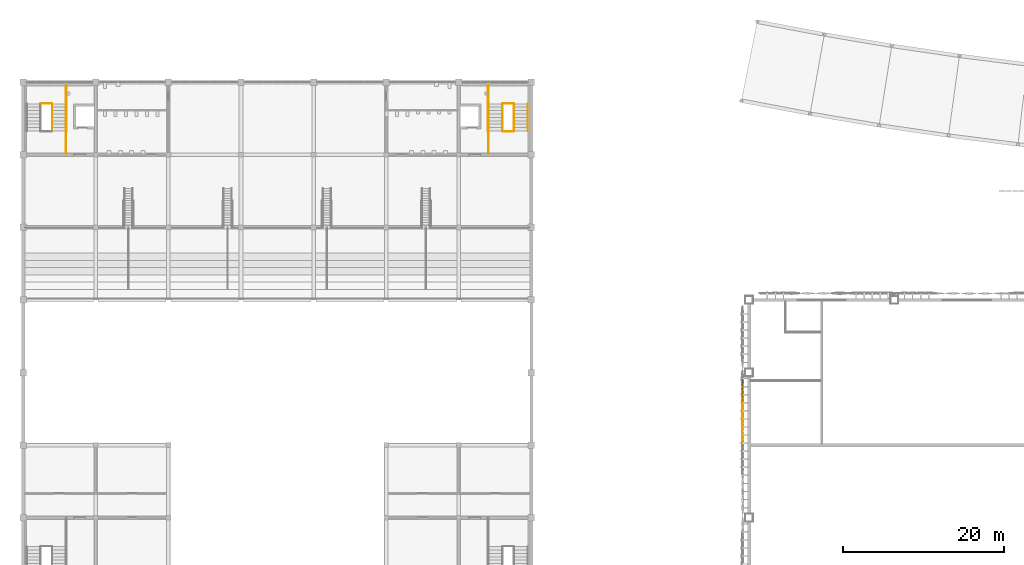
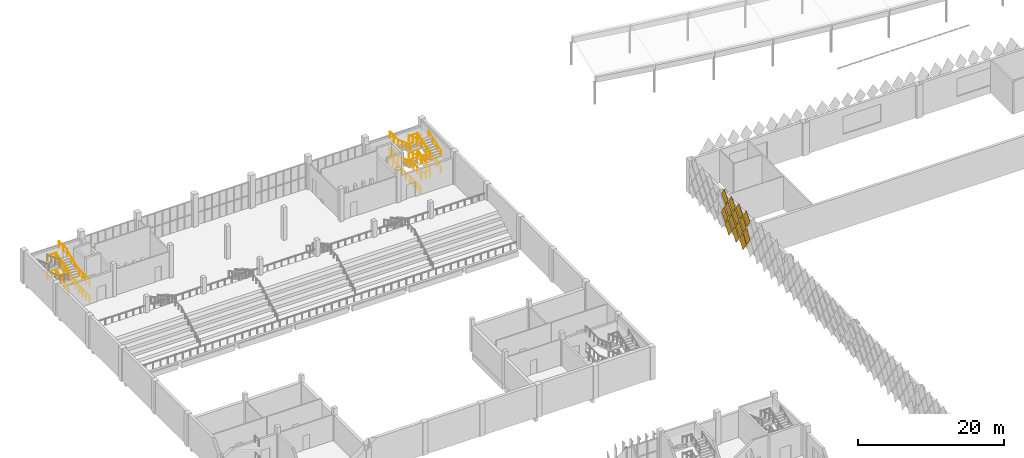
# One storey, part 176 of 185: 28 railings, 14 coverings.
"""IFC4 building model written with IfcOpenShell, lengths in metres."""

from ifc_helpers import new_model, si_unit, direction, frame, origin, origin_2d, place, context, subcontext, project, spatial, polyline, circle, outline, extrude, material, constituent, constituent_set, material_profile, profile_set, type_object, element, save


model = new_model("IFC4")

# Units and contexts
model_context = context("Model", 3, precision=1e-05, world=origin(), true_north=direction((0.0, 1.0)))
body_context = subcontext(model_context, "Body", "Model", "MODEL_VIEW")
ifc_project = project(units=[si_unit("LENGTHUNIT", "METRE"), si_unit("AREAUNIT", "SQUARE_METRE"), si_unit("VOLUMEUNIT", "CUBIC_METRE"), si_unit("PLANEANGLEUNIT", "RADIAN"), si_unit("MASSUNIT", "GRAM", prefix="KILO")], contexts=[model_context])

# Site, building, storey
site_placement = place(None, origin())
site = spatial("IfcSite", under=ifc_project, at=site_placement, CompositionType="ELEMENT")
building_placement = place(site_placement, origin())
building = spatial("IfcBuilding", under=site, at=building_placement, Name="Opaline Strait Convention Centre", CompositionType="ELEMENT")
storey_placement = place(building_placement, frame((0.0, 0.0, 6.0)))
storey = spatial("IfcBuildingStorey", under=building, at=storey_placement, Name="L01", CompositionType="ELEMENT", Elevation=6.0)

# Coverings
ifc_material_1 = material(Name="White ceramic-faced aluminium tile", Category="aluminium")
ifc_material_profile_1 = material_profile(ifc_material_1, outline(polyline([(0.927978515625, 0.0), (0.0, 1.39208984375), (-0.927978515625, 0.0), (0.0, -1.39208984375), (0.927978515625, 0.0)])), Name="Diamond tile 1856x2784")
ifc_profile_set_1 = profile_set([ifc_material_profile_1], Name="White ceramic-faced aluminium tile")
covering_type_1 = type_object("IfcCoveringType", Name="Diamond wall tile 1856x2784x30 pivot 2 deg", PredefinedType="CLADDING", material=ifc_profile_set_1)
for number, where, z_axis, x_axis, name in (
    (1, (98.199951171875, 139.25, 1.39208984375), (-0.999174794796, 0.0, -0.040616861577), (0.0, -1.0, 0.0), "Wall tile XT04 W"),
    (2, (98.199951171875, 137.25, 1.39208984375), (-0.999471633277, 0.0, 0.032503142546), (0.0, -1.0, 0.0), "Wall tile XT04 W"),
    (3, (98.199951171875, 138.25, 2.89208984375), (-0.999174794796, 0.0, -0.040616861577), (0.0, -1.0, 0.0), "Wall tile XT04 W"),
    (4, (98.199951171875, 136.25, 2.89208984375), (-0.999471633277, 0.0, 0.032503142546), (0.0, -1.0, 0.0), "Wall tile XT04 W"),
    (5, (98.199951171875, 137.25, 4.39208984375), (-0.999174794796, 0.0, -0.040616861577), (0.0, -1.0, 0.0), "Wall tile XT04 W"),
    (6, (98.199951171875, 136.25, 5.89208984375), (-0.999174794796, 0.0, -0.040616861577), (0.0, -1.0, 0.0), "Wall tile XT04 W"),
):
    element("IfcCovering", number, at=place(storey_placement, frame(where, z_axis=z_axis, x_axis=x_axis)), inside=storey, type_object=covering_type_1, Name=name, PredefinedType="CLADDING", context=body_context, shape_type="SweptSolid", body=[
        extrude(outline(polyline([(0.927978515625, 0.0), (0.0, 1.39208984375), (-0.927978515625, 0.0), (0.0, -1.39208984375), (0.927978515625, 0.0)])), origin(), (0.0, 0.0, 1.0), 0.030029296875),
    ])
ifc_material_profile_2 = material_profile(ifc_material_1, outline(polyline([(0.927978515625, 0.0), (0.0, 1.39208984375), (-0.927978515625, 0.0), (0.0, -1.39208984375), (0.927978515625, 0.0)])), Name="Diamond tile 1856x2784")
ifc_profile_set_2 = profile_set([ifc_material_profile_2], Name="White ceramic-faced aluminium tile")
covering_type_2 = type_object("IfcCoveringType", Name="Diamond wall tile 1856x2784x30 pivot 2.5 deg", PredefinedType="CLADDING", material=ifc_profile_set_2)
for number, where, z_axis, x_axis, name in (
    (7, (98.199951171875, 141.25, 1.39208984375), (-0.998812351125, 0.0, -0.048722553713), (0.0, -1.0, 0.0), "Wall tile XT05 W"),
    (8, (98.199951171875, 140.25, 2.89208984375), (-0.998812351125, 0.0, -0.048722553713), (0.0, -1.0, 0.0), "Wall tile XT05 W"),
):
    element("IfcCovering", number, at=place(storey_placement, frame(where, z_axis=z_axis, x_axis=x_axis)), inside=storey, type_object=covering_type_2, Name=name, PredefinedType="CLADDING", context=body_context, shape_type="SweptSolid", body=[
        extrude(outline(polyline([(0.927978515625, 0.0), (0.0, 1.39208984375), (-0.927978515625, 0.0), (0.0, -1.39208984375), (0.927978515625, 0.0)])), origin(), (0.0, 0.0, 1.0), 0.030029296875),
    ])
ifc_material_profile_3 = material_profile(ifc_material_1, outline(polyline([(0.927978515625, 0.0), (0.0, 1.39208984375), (-0.927978515625, 0.0), (0.0, -1.39208984375), (0.927978515625, 0.0)])), Name="Diamond tile 1856x2784")
ifc_profile_set_3 = profile_set([ifc_material_profile_3], Name="White ceramic-faced aluminium tile")
covering_type_3 = type_object("IfcCoveringType", Name="Diamond wall tile 1856x2784x30 pivot 3 deg", PredefinedType="CLADDING", material=ifc_profile_set_3)
for number, where, z_axis, x_axis, name in (
    (9, (98.199951171875, 139.25, 4.39208984375), (-0.998384516691, 0.0, -0.056818631031), (0.0, -1.0, 0.0), "Wall tile XT06 W"),
    (10, (98.199951171875, 138.25, 5.89208984375), (-0.998384516691, 0.0, -0.056818631031), (0.0, -1.0, 0.0), "Wall tile XT06 W"),
):
    element("IfcCovering", number, at=place(storey_placement, frame(where, z_axis=z_axis, x_axis=x_axis)), inside=storey, type_object=covering_type_3, Name=name, PredefinedType="CLADDING", context=body_context, shape_type="SweptSolid", body=[
        extrude(outline(polyline([(0.927978515625, 0.0), (0.0, 1.39208984375), (-0.927978515625, 0.0), (0.0, -1.39208984375), (0.927978515625, 0.0)])), origin(), (0.0, 0.0, 1.0), 0.030029296875),
    ])
ifc_material_profile_4 = material_profile(ifc_material_1, outline(polyline([(0.927978515625, 0.0), (0.0, 1.39208984375), (-0.927978515625, 0.0), (0.0, -1.39208984375), (0.927978515625, 0.0)])), Name="Diamond tile 1856x2784")
ifc_profile_set_4 = profile_set([ifc_material_profile_4], Name="White ceramic-faced aluminium tile")
covering_type_4 = type_object("IfcCoveringType", Name="Diamond wall tile 1856x2784x30 pivot 4 deg", PredefinedType="CLADDING", material=ifc_profile_set_4)
for number, where, z_axis, x_axis, name in (
    (11, (98.199951171875, 142.25, 2.89208984375), (-0.997290013252, 0.0, -0.073570574748), (0.0, -1.0, 0.0), "Wall tile XT08 W"),
    (12, (98.199951171875, 141.25, 4.39208984375), (-0.997290013252, 0.0, -0.073570574748), (0.0, -1.0, 0.0), "Wall tile XT08 W"),
    (13, (98.199951171875, 140.25, 5.89208984375), (-0.997290013252, 0.0, -0.073570574748), (0.0, -1.0, 0.0), "Wall tile XT08 W"),
):
    element("IfcCovering", number, at=place(storey_placement, frame(where, z_axis=z_axis, x_axis=x_axis)), inside=storey, type_object=covering_type_4, Name=name, PredefinedType="CLADDING", context=body_context, shape_type="SweptSolid", body=[
        extrude(outline(polyline([(0.927978515625, 0.0), (0.0, 1.39208984375), (-0.927978515625, 0.0), (0.0, -1.39208984375), (0.927978515625, 0.0)])), origin(), (0.0, 0.0, 1.0), 0.02978515625),
    ])
ifc_material_profile_5 = material_profile(ifc_material_1, outline(polyline([(0.927978515625, 0.0), (0.0, 1.39208984375), (-0.927978515625, 0.0), (0.0, -1.39208984375), (0.927978515625, 0.0)])), Name="Diamond tile 1856x2784")
ifc_profile_set_5 = profile_set([ifc_material_profile_5], Name="White ceramic-faced aluminium tile")
covering_type_5 = type_object("IfcCoveringType", Name="Diamond wall tile 1856x2784x30 pivot 4.5 deg", PredefinedType="CLADDING", material=ifc_profile_set_5)
covering_placement = place(storey_placement, frame((98.199951171875, 142.25, 5.89208984375), z_axis=(-0.996657521232, 0.0, -0.081693239445), x_axis=(0.0, -1.0, 0.0)))
element("IfcCovering", 14, at=covering_placement, inside=storey, type_object=covering_type_5, Name="Wall tile XT09 W", PredefinedType="CLADDING", context=body_context, shape_type="SweptSolid", body=[
    extrude(outline(polyline([(0.927978515625, 0.0), (0.0, 1.39208984375), (-0.927978515625, 0.0), (0.0, -1.39208984375), (0.927978515625, 0.0)])), origin(), (0.0, 0.0, 1.0), 0.02978515625),
])

# Railings
ifc_material_2 = material(Name="Steel Q355B", Category="steel")
ifc_constituent_1 = constituent(ifc_material_2, Name="Frame")
ifc_material_3 = material(Name="Safety glass, bonded interlayer", Category="glass")
ifc_constituent_2 = constituent(ifc_material_3, Name="Infill")
ifc_constituent_set = constituent_set(constituents=[ifc_constituent_1, ifc_constituent_2], Name="Steel Q355B, Safety glass, bonded interlayer")
railing_type_1 = type_object("IfcRailingType", Name="Seating guard 1100 steel and glass", PredefinedType="GUARDRAIL", material=ifc_constituent_set)
railing_1_placement = place(storey_placement, frame((12.60009765625, 173.949951171875, 0.15283203125)))
element("IfcRailing", 15, at=railing_1_placement, inside=storey, type_object=railing_type_1, Name="L01 PSR3 stair guard 1", PredefinedType="GUARDRAIL", context=body_context, shape_type="SweptSolid", body=[
    extrude(circle(Radius=0.02392578125, at=origin_2d()), frame((0.0, 0.0, 1.076171875), z_axis=(0.0, 0.939765509453, 0.341819816924), x_axis=(-1.0, 0.0, 0.0)), (0.0, 0.0, 1.0), 3.575439453125),
    extrude(circle(Radius=0.02099609375, at=origin_2d()), origin(), (0.0, 0.0, 1.0), 1.052001953125),
    extrude(circle(Radius=0.02099609375, at=origin_2d()), frame((0.0, 1.1201171875, 0.407470703125)), (0.0, 0.0, 1.0), 1.052001953125),
    extrude(circle(Radius=0.02099609375, at=origin_2d()), frame((0.0, 2.239990234375, 0.814697265625)), (0.0, 0.0, 1.0), 1.052001953125),
    extrude(circle(Radius=0.02099609375, at=origin_2d()), frame((0.0, 3.360107421875, 1.22216796875)), (0.0, 0.0, 1.0), 1.052001953125),
])
railing_2_placement = place(storey_placement, frame((12.550048828125, 177.360107421875, 1.375)))
element("IfcRailing", 16, at=railing_2_placement, inside=storey, type_object=railing_type_1, Name="L01 PSR3 stair guard 2", PredefinedType="GUARDRAIL", context=body_context, shape_type="SweptSolid", body=[
    extrude(circle(Radius=0.02392578125, at=origin_2d()), frame((0.0, 0.0, 1.076171875), z_axis=(-1.0, 0.0, 0.0), x_axis=(0.0, -1.0, 0.0)), (0.0, 0.0, 1.0), 1.35009765625),
    extrude(circle(Radius=0.02099609375, at=origin_2d()), origin(), (0.0, 0.0, 1.0), 1.052001953125),
    extrude(circle(Radius=0.02099609375, at=origin_2d()), frame((-0.675048828125, 0.0, 0.0)), (0.0, 0.0, 1.0), 1.052001953125),
    extrude(circle(Radius=0.02099609375, at=origin_2d()), frame((-1.35009765625, 0.0, 0.0)), (0.0, 0.0, 1.0), 1.052001953125),
])
railing_3_placement = place(storey_placement, frame((14.300048828125, 177.31005859375, 1.375)))
element("IfcRailing", 17, at=railing_3_placement, inside=storey, type_object=railing_type_1, Name="L01 PSR3 stair guard 3", PredefinedType="GUARDRAIL", context=body_context, shape_type="SweptSolid", body=[
    extrude(circle(Radius=0.02392578125, at=origin_2d()), frame((0.0, 0.0, 1.076171875), z_axis=(0.0, 1.0, 0.0), x_axis=(-1.0, 0.0, 0.0)), (0.0, 0.0, 1.0), 2.239990234375),
    extrude(circle(Radius=0.02099609375, at=origin_2d()), origin(), (0.0, 0.0, 1.0), 1.052001953125),
    extrude(circle(Radius=0.02099609375, at=origin_2d()), frame((0.0, 1.1201171875, 0.0)), (0.0, 0.0, 1.0), 1.052001953125),
    extrude(circle(Radius=0.02099609375, at=origin_2d()), frame((0.0, 2.239990234375, 0.0)), (0.0, 0.0, 1.0), 1.052001953125),
])
railing_4_placement = place(storey_placement, frame((14.300048828125, 171.14990234375, 2.75)))
element("IfcRailing", 18, at=railing_4_placement, inside=storey, type_object=railing_type_1, Name="L01 PSR3 stair guard 6", PredefinedType="GUARDRAIL", context=body_context, shape_type="SweptSolid", body=[
    extrude(circle(Radius=0.02392578125, at=origin_2d()), frame((0.0, 0.0, 1.076171875), z_axis=(0.0, 1.0, 0.0), x_axis=(-1.0, 0.0, 0.0)), (0.0, 0.0, 1.0), 2.800048828125),
    extrude(circle(Radius=0.02099609375, at=origin_2d()), origin(), (0.0, 0.0, 1.0), 1.052001953125),
    extrude(circle(Radius=0.02099609375, at=origin_2d()), frame((0.0, 0.933349609375, 0.0)), (0.0, 0.0, 1.0), 1.052001953125),
    extrude(circle(Radius=0.02099609375, at=origin_2d()), frame((0.0, 1.86669921875, 0.0)), (0.0, 0.0, 1.0), 1.052001953125),
    extrude(circle(Radius=0.02099609375, at=origin_2d()), frame((0.0, 2.800048828125, 0.0)), (0.0, 0.0, 1.0), 1.052001953125),
])
railing_5_placement = place(storey_placement, frame((12.60009765625, 173.949951171875, 2.90283203125)))
element("IfcRailing", 19, at=railing_5_placement, inside=storey, type_object=railing_type_1, Name="L01 PSR3 stair guard 7", PredefinedType="GUARDRAIL", context=body_context, shape_type="SweptSolid", body=[
    extrude(circle(Radius=0.02392578125, at=origin_2d()), frame((0.0, 0.0, 1.076171875), z_axis=(0.0, 0.939765509453, 0.341819816924), x_axis=(-1.0, 0.0, 0.0)), (0.0, 0.0, 1.0), 3.575439453125),
    extrude(circle(Radius=0.02099609375, at=origin_2d()), origin(), (0.0, 0.0, 1.0), 1.052001953125),
    extrude(circle(Radius=0.02099609375, at=origin_2d()), frame((0.0, 1.1201171875, 0.407470703125)), (0.0, 0.0, 1.0), 1.052001953125),
    extrude(circle(Radius=0.02099609375, at=origin_2d()), frame((0.0, 2.239990234375, 0.814697265625)), (0.0, 0.0, 1.0), 1.052001953125),
    extrude(circle(Radius=0.02099609375, at=origin_2d()), frame((0.0, 3.360107421875, 1.22216796875)), (0.0, 0.0, 1.0), 1.052001953125),
])
railing_6_placement = place(storey_placement, frame((12.550048828125, 177.360107421875, 4.125)))
element("IfcRailing", 20, at=railing_6_placement, inside=storey, type_object=railing_type_1, Name="L01 PSR3 stair guard 8", PredefinedType="GUARDRAIL", context=body_context, shape_type="SweptSolid", body=[
    extrude(circle(Radius=0.02392578125, at=origin_2d()), frame((0.0, 0.0, 1.076171875), z_axis=(-1.0, 0.0, 0.0), x_axis=(0.0, -1.0, 0.0)), (0.0, 0.0, 1.0), 1.35009765625),
    extrude(circle(Radius=0.02099609375, at=origin_2d()), origin(), (0.0, 0.0, 1.0), 1.052001953125),
    extrude(circle(Radius=0.02099609375, at=origin_2d()), frame((-0.675048828125, 0.0, 0.0)), (0.0, 0.0, 1.0), 1.052001953125),
    extrude(circle(Radius=0.02099609375, at=origin_2d()), frame((-1.35009765625, 0.0, 0.0)), (0.0, 0.0, 1.0), 1.052001953125),
])
railing_7_placement = place(storey_placement, frame((14.300048828125, 177.31005859375, 4.125)))
element("IfcRailing", 21, at=railing_7_placement, inside=storey, type_object=railing_type_1, Name="L01 PSR3 stair guard 9", PredefinedType="GUARDRAIL", context=body_context, shape_type="SweptSolid", body=[
    extrude(circle(Radius=0.02392578125, at=origin_2d()), frame((0.0, 0.0, 1.076171875), z_axis=(0.0, 1.0, 0.0), x_axis=(-1.0, 0.0, 0.0)), (0.0, 0.0, 1.0), 2.239990234375),
    extrude(circle(Radius=0.02099609375, at=origin_2d()), origin(), (0.0, 0.0, 1.0), 1.052001953125),
    extrude(circle(Radius=0.02099609375, at=origin_2d()), frame((0.0, 1.1201171875, 0.0)), (0.0, 0.0, 1.0), 1.052001953125),
    extrude(circle(Radius=0.02099609375, at=origin_2d()), frame((0.0, 2.239990234375, 0.0)), (0.0, 0.0, 1.0), 1.052001953125),
])
railing_8_placement = place(storey_placement, frame((14.300048828125, 171.14990234375, 0.0)))
element("IfcRailing", 22, at=railing_8_placement, inside=storey, type_object=railing_type_1, Name="L01 PSR3 stair guard 12", PredefinedType="GUARDRAIL", context=body_context, shape_type="SweptSolid", body=[
    extrude(circle(Radius=0.02392578125, at=origin_2d()), frame((0.0, 0.0, 1.076171875), z_axis=(0.0, 1.0, 0.0), x_axis=(-1.0, 0.0, 0.0)), (0.0, 0.0, 1.0), 2.800048828125),
    extrude(circle(Radius=0.02099609375, at=origin_2d()), origin(), (0.0, 0.0, 1.0), 1.052001953125),
    extrude(circle(Radius=0.02099609375, at=origin_2d()), frame((0.0, 0.933349609375, 0.0)), (0.0, 0.0, 1.0), 1.052001953125),
    extrude(circle(Radius=0.02099609375, at=origin_2d()), frame((0.0, 1.86669921875, 0.0)), (0.0, 0.0, 1.0), 1.052001953125),
    extrude(circle(Radius=0.02099609375, at=origin_2d()), frame((0.0, 2.800048828125, 0.0)), (0.0, 0.0, 1.0), 1.052001953125),
])
railing_9_placement = place(storey_placement, frame((14.39990234375, 173.85009765625, 0.0)))
element("IfcRailing", 23, at=railing_9_placement, inside=storey, type_object=railing_type_1, Name="L01 PSR3 stair guard 13", PredefinedType="GUARDRAIL", context=body_context, shape_type="SweptSolid", body=[
    extrude(circle(Radius=0.02392578125, at=origin_2d()), frame((0.0, 0.0, 1.076171875), z_axis=(0.0, 1.0, 0.0), x_axis=(-1.0, 0.0, 0.0)), (0.0, 0.0, 1.0), 5.7998046875),
    extrude(circle(Radius=0.02099609375, at=origin_2d()), origin(), (0.0, 0.0, 1.0), 1.052001953125),
    extrude(circle(Radius=0.02099609375, at=origin_2d()), frame((0.0, 1.159912109375, 0.0)), (0.0, 0.0, 1.0), 1.052001953125),
    extrude(circle(Radius=0.02099609375, at=origin_2d()), frame((0.0, 2.31982421875, 0.0)), (0.0, 0.0, 1.0), 1.052001953125),
    extrude(circle(Radius=0.02099609375, at=origin_2d()), frame((0.0, 3.47998046875, 0.0)), (0.0, 0.0, 1.0), 1.052001953125),
    extrude(circle(Radius=0.02099609375, at=origin_2d()), frame((0.0, 4.639892578125, 0.0)), (0.0, 0.0, 1.0), 1.052001953125),
    extrude(circle(Radius=0.02099609375, at=origin_2d()), frame((0.0, 5.7998046875, 0.0)), (0.0, 0.0, 1.0), 1.052001953125),
])
railing_10_placement = place(storey_placement, frame((69.85009765625, 173.949951171875, 0.15283203125)))
element("IfcRailing", 24, at=railing_10_placement, inside=storey, type_object=railing_type_1, Name="L01 PSR4 stair guard 1", PredefinedType="GUARDRAIL", context=body_context, shape_type="SweptSolid", body=[
    extrude(circle(Radius=0.02392578125, at=origin_2d()), frame((0.0, 0.0, 1.076171875), z_axis=(0.0, 0.939765509453, 0.341819816924), x_axis=(-1.0, 0.0, 0.0)), (0.0, 0.0, 1.0), 3.575439453125),
    extrude(circle(Radius=0.02099609375, at=origin_2d()), origin(), (0.0, 0.0, 1.0), 1.052001953125),
    extrude(circle(Radius=0.02099609375, at=origin_2d()), frame((0.0, 1.1201171875, 0.407470703125)), (0.0, 0.0, 1.0), 1.052001953125),
    extrude(circle(Radius=0.02099609375, at=origin_2d()), frame((0.0, 2.239990234375, 0.814697265625)), (0.0, 0.0, 1.0), 1.052001953125),
    extrude(circle(Radius=0.02099609375, at=origin_2d()), frame((0.0, 3.360107421875, 1.22216796875)), (0.0, 0.0, 1.0), 1.052001953125),
])
railing_11_placement = place(storey_placement, frame((69.800048828125, 177.360107421875, 1.375)))
element("IfcRailing", 25, at=railing_11_placement, inside=storey, type_object=railing_type_1, Name="L01 PSR4 stair guard 2", PredefinedType="GUARDRAIL", context=body_context, shape_type="SweptSolid", body=[
    extrude(circle(Radius=0.02392578125, at=origin_2d()), frame((0.0, 0.0, 1.076171875), z_axis=(-1.0, 0.0, 0.0), x_axis=(0.0, -1.0, 0.0)), (0.0, 0.0, 1.0), 1.35009765625),
    extrude(circle(Radius=0.02099609375, at=origin_2d()), origin(), (0.0, 0.0, 1.0), 1.052001953125),
    extrude(circle(Radius=0.02099609375, at=origin_2d()), frame((-0.675048828125, 0.0, 0.0)), (0.0, 0.0, 1.0), 1.052001953125),
    extrude(circle(Radius=0.02099609375, at=origin_2d()), frame((-1.35009765625, 0.0, 0.0)), (0.0, 0.0, 1.0), 1.052001953125),
])
railing_12_placement = place(storey_placement, frame((66.699951171875, 177.31005859375, 1.375)))
element("IfcRailing", 26, at=railing_12_placement, inside=storey, type_object=railing_type_1, Name="L01 PSR4 stair guard 3", PredefinedType="GUARDRAIL", context=body_context, shape_type="SweptSolid", body=[
    extrude(circle(Radius=0.02392578125, at=origin_2d()), frame((0.0, 0.0, 1.076171875), z_axis=(0.0, 1.0, 0.0), x_axis=(-1.0, 0.0, 0.0)), (0.0, 0.0, 1.0), 2.239990234375),
    extrude(circle(Radius=0.02099609375, at=origin_2d()), origin(), (0.0, 0.0, 1.0), 1.052001953125),
    extrude(circle(Radius=0.02099609375, at=origin_2d()), frame((0.0, 1.1201171875, 0.0)), (0.0, 0.0, 1.0), 1.052001953125),
    extrude(circle(Radius=0.02099609375, at=origin_2d()), frame((0.0, 2.239990234375, 0.0)), (0.0, 0.0, 1.0), 1.052001953125),
])
railing_13_placement = place(storey_placement, frame((68.39990234375, 177.31005859375, 1.52783203125)))
element("IfcRailing", 27, at=railing_13_placement, inside=storey, type_object=railing_type_1, Name="L01 PSR4 stair guard 4", PredefinedType="GUARDRAIL", context=body_context, shape_type="SweptSolid", body=[
    extrude(circle(Radius=0.02392578125, at=origin_2d()), frame((0.0, 0.0, 1.076171875), z_axis=(0.0, -0.939765509453, 0.341819816924), x_axis=(1.0, 0.0, 0.0)), (0.0, 0.0, 1.0), 3.575439453125),
    extrude(circle(Radius=0.02099609375, at=origin_2d()), origin(), (0.0, 0.0, 1.0), 1.052001953125),
    extrude(circle(Radius=0.02099609375, at=origin_2d()), frame((0.0, -1.1201171875, 0.407470703125)), (0.0, 0.0, 1.0), 1.052001953125),
    extrude(circle(Radius=0.02099609375, at=origin_2d()), frame((0.0, -2.239990234375, 0.814697265625)), (0.0, 0.0, 1.0), 1.052001953125),
    extrude(circle(Radius=0.02099609375, at=origin_2d()), frame((0.0, -3.360107421875, 1.22216796875)), (0.0, 0.0, 1.0), 1.052001953125),
])
railing_14_placement = place(storey_placement, frame((69.800048828125, 173.89990234375, 2.75)))
element("IfcRailing", 28, at=railing_14_placement, inside=storey, type_object=railing_type_1, Name="L01 PSR4 stair guard 5", PredefinedType="GUARDRAIL", context=body_context, shape_type="SweptSolid", body=[
    extrude(circle(Radius=0.02392578125, at=origin_2d()), frame((0.0, 0.0, 1.076171875), z_axis=(-1.0, 0.0, 0.0), x_axis=(0.0, -1.0, 0.0)), (0.0, 0.0, 1.0), 1.35009765625),
    extrude(circle(Radius=0.02099609375, at=origin_2d()), origin(), (0.0, 0.0, 1.0), 1.052001953125),
    extrude(circle(Radius=0.02099609375, at=origin_2d()), frame((-0.675048828125, 0.0, 0.0)), (0.0, 0.0, 1.0), 1.052001953125),
    extrude(circle(Radius=0.02099609375, at=origin_2d()), frame((-1.35009765625, 0.0, 0.0)), (0.0, 0.0, 1.0), 1.052001953125),
])
railing_15_placement = place(storey_placement, frame((66.699951171875, 171.14990234375, 2.75)))
element("IfcRailing", 29, at=railing_15_placement, inside=storey, type_object=railing_type_1, Name="L01 PSR4 stair guard 6", PredefinedType="GUARDRAIL", context=body_context, shape_type="SweptSolid", body=[
    extrude(circle(Radius=0.02392578125, at=origin_2d()), frame((0.0, 0.0, 1.076171875), z_axis=(0.0, 1.0, 0.0), x_axis=(-1.0, 0.0, 0.0)), (0.0, 0.0, 1.0), 2.800048828125),
    extrude(circle(Radius=0.02099609375, at=origin_2d()), origin(), (0.0, 0.0, 1.0), 1.052001953125),
    extrude(circle(Radius=0.02099609375, at=origin_2d()), frame((0.0, 0.933349609375, 0.0)), (0.0, 0.0, 1.0), 1.052001953125),
    extrude(circle(Radius=0.02099609375, at=origin_2d()), frame((0.0, 1.86669921875, 0.0)), (0.0, 0.0, 1.0), 1.052001953125),
    extrude(circle(Radius=0.02099609375, at=origin_2d()), frame((0.0, 2.800048828125, 0.0)), (0.0, 0.0, 1.0), 1.052001953125),
])
railing_16_placement = place(storey_placement, frame((69.85009765625, 173.949951171875, 2.90283203125)))
element("IfcRailing", 30, at=railing_16_placement, inside=storey, type_object=railing_type_1, Name="L01 PSR4 stair guard 7", PredefinedType="GUARDRAIL", context=body_context, shape_type="SweptSolid", body=[
    extrude(circle(Radius=0.02392578125, at=origin_2d()), frame((0.0, 0.0, 1.076171875), z_axis=(0.0, 0.939765509453, 0.341819816924), x_axis=(-1.0, 0.0, 0.0)), (0.0, 0.0, 1.0), 3.575439453125),
    extrude(circle(Radius=0.02099609375, at=origin_2d()), origin(), (0.0, 0.0, 1.0), 1.052001953125),
    extrude(circle(Radius=0.02099609375, at=origin_2d()), frame((0.0, 1.1201171875, 0.407470703125)), (0.0, 0.0, 1.0), 1.052001953125),
    extrude(circle(Radius=0.02099609375, at=origin_2d()), frame((0.0, 2.239990234375, 0.814697265625)), (0.0, 0.0, 1.0), 1.052001953125),
    extrude(circle(Radius=0.02099609375, at=origin_2d()), frame((0.0, 3.360107421875, 1.22216796875)), (0.0, 0.0, 1.0), 1.052001953125),
])
railing_17_placement = place(storey_placement, frame((69.800048828125, 177.360107421875, 4.125)))
element("IfcRailing", 31, at=railing_17_placement, inside=storey, type_object=railing_type_1, Name="L01 PSR4 stair guard 8", PredefinedType="GUARDRAIL", context=body_context, shape_type="SweptSolid", body=[
    extrude(circle(Radius=0.02392578125, at=origin_2d()), frame((0.0, 0.0, 1.076171875), z_axis=(-1.0, 0.0, 0.0), x_axis=(0.0, -1.0, 0.0)), (0.0, 0.0, 1.0), 1.35009765625),
    extrude(circle(Radius=0.02099609375, at=origin_2d()), origin(), (0.0, 0.0, 1.0), 1.052001953125),
    extrude(circle(Radius=0.02099609375, at=origin_2d()), frame((-0.675048828125, 0.0, 0.0)), (0.0, 0.0, 1.0), 1.052001953125),
    extrude(circle(Radius=0.02099609375, at=origin_2d()), frame((-1.35009765625, 0.0, 0.0)), (0.0, 0.0, 1.0), 1.052001953125),
])
railing_18_placement = place(storey_placement, frame((66.699951171875, 177.31005859375, 4.125)))
element("IfcRailing", 32, at=railing_18_placement, inside=storey, type_object=railing_type_1, Name="L01 PSR4 stair guard 9", PredefinedType="GUARDRAIL", context=body_context, shape_type="SweptSolid", body=[
    extrude(circle(Radius=0.02392578125, at=origin_2d()), frame((0.0, 0.0, 1.076171875), z_axis=(0.0, 1.0, 0.0), x_axis=(-1.0, 0.0, 0.0)), (0.0, 0.0, 1.0), 2.239990234375),
    extrude(circle(Radius=0.02099609375, at=origin_2d()), origin(), (0.0, 0.0, 1.0), 1.052001953125),
    extrude(circle(Radius=0.02099609375, at=origin_2d()), frame((0.0, 1.1201171875, 0.0)), (0.0, 0.0, 1.0), 1.052001953125),
    extrude(circle(Radius=0.02099609375, at=origin_2d()), frame((0.0, 2.239990234375, 0.0)), (0.0, 0.0, 1.0), 1.052001953125),
])
railing_19_placement = place(storey_placement, frame((68.39990234375, 177.31005859375, 4.27783203125)))
element("IfcRailing", 33, at=railing_19_placement, inside=storey, type_object=railing_type_1, Name="L01 PSR4 stair guard 10", PredefinedType="GUARDRAIL", context=body_context, shape_type="SweptSolid", body=[
    extrude(circle(Radius=0.02392578125, at=origin_2d()), frame((0.0, 0.0, 1.076171875), z_axis=(0.0, -0.939765509453, 0.341819816924), x_axis=(1.0, 0.0, 0.0)), (0.0, 0.0, 1.0), 3.575439453125),
    extrude(circle(Radius=0.02099609375, at=origin_2d()), origin(), (0.0, 0.0, 1.0), 1.052001953125),
    extrude(circle(Radius=0.02099609375, at=origin_2d()), frame((0.0, -1.1201171875, 0.407470703125)), (0.0, 0.0, 1.0), 1.052001953125),
    extrude(circle(Radius=0.02099609375, at=origin_2d()), frame((0.0, -2.239990234375, 0.814697265625)), (0.0, 0.0, 1.0), 1.052001953125),
    extrude(circle(Radius=0.02099609375, at=origin_2d()), frame((0.0, -3.360107421875, 1.22216796875)), (0.0, 0.0, 1.0), 1.052001953125),
])
railing_20_placement = place(storey_placement, frame((69.800048828125, 173.89990234375, 0.0)))
element("IfcRailing", 34, at=railing_20_placement, inside=storey, type_object=railing_type_1, Name="L01 PSR4 stair guard 11", PredefinedType="GUARDRAIL", context=body_context, shape_type="SweptSolid", body=[
    extrude(circle(Radius=0.02392578125, at=origin_2d()), frame((0.0, 0.0, 1.076171875), z_axis=(-1.0, 0.0, 0.0), x_axis=(0.0, -1.0, 0.0)), (0.0, 0.0, 1.0), 1.35009765625),
    extrude(circle(Radius=0.02099609375, at=origin_2d()), origin(), (0.0, 0.0, 1.0), 1.052001953125),
    extrude(circle(Radius=0.02099609375, at=origin_2d()), frame((-0.675048828125, 0.0, 0.0)), (0.0, 0.0, 1.0), 1.052001953125),
    extrude(circle(Radius=0.02099609375, at=origin_2d()), frame((-1.35009765625, 0.0, 0.0)), (0.0, 0.0, 1.0), 1.052001953125),
])
railing_21_placement = place(storey_placement, frame((66.699951171875, 171.14990234375, 0.0)))
element("IfcRailing", 35, at=railing_21_placement, inside=storey, type_object=railing_type_1, Name="L01 PSR4 stair guard 12", PredefinedType="GUARDRAIL", context=body_context, shape_type="SweptSolid", body=[
    extrude(circle(Radius=0.02392578125, at=origin_2d()), frame((0.0, 0.0, 1.076171875), z_axis=(0.0, 1.0, 0.0), x_axis=(-1.0, 0.0, 0.0)), (0.0, 0.0, 1.0), 2.800048828125),
    extrude(circle(Radius=0.02099609375, at=origin_2d()), origin(), (0.0, 0.0, 1.0), 1.052001953125),
    extrude(circle(Radius=0.02099609375, at=origin_2d()), frame((0.0, 0.933349609375, 0.0)), (0.0, 0.0, 1.0), 1.052001953125),
    extrude(circle(Radius=0.02099609375, at=origin_2d()), frame((0.0, 1.86669921875, 0.0)), (0.0, 0.0, 1.0), 1.052001953125),
    extrude(circle(Radius=0.02099609375, at=origin_2d()), frame((0.0, 2.800048828125, 0.0)), (0.0, 0.0, 1.0), 1.052001953125),
])
railing_22_placement = place(storey_placement, frame((66.60009765625, 173.85009765625, 0.0)))
element("IfcRailing", 36, at=railing_22_placement, inside=storey, type_object=railing_type_1, Name="L01 PSR4 stair guard 13", PredefinedType="GUARDRAIL", context=body_context, shape_type="SweptSolid", body=[
    extrude(circle(Radius=0.02392578125, at=origin_2d()), frame((0.0, 0.0, 1.076171875), z_axis=(0.0, 1.0, 0.0), x_axis=(-1.0, 0.0, 0.0)), (0.0, 0.0, 1.0), 5.7998046875),
    extrude(circle(Radius=0.02099609375, at=origin_2d()), origin(), (0.0, 0.0, 1.0), 1.052001953125),
    extrude(circle(Radius=0.02099609375, at=origin_2d()), frame((0.0, 1.159912109375, 0.0)), (0.0, 0.0, 1.0), 1.052001953125),
    extrude(circle(Radius=0.02099609375, at=origin_2d()), frame((0.0, 2.31982421875, 0.0)), (0.0, 0.0, 1.0), 1.052001953125),
    extrude(circle(Radius=0.02099609375, at=origin_2d()), frame((0.0, 3.47998046875, 0.0)), (0.0, 0.0, 1.0), 1.052001953125),
    extrude(circle(Radius=0.02099609375, at=origin_2d()), frame((0.0, 4.639892578125, 0.0)), (0.0, 0.0, 1.0), 1.052001953125),
    extrude(circle(Radius=0.02099609375, at=origin_2d()), frame((0.0, 5.7998046875, 0.0)), (0.0, 0.0, 1.0), 1.052001953125),
])
ifc_material_4 = material(Name="Stainless steel 304", Category="steel")
railing_type_2 = type_object("IfcRailingType", Name="Stair handrail 900", PredefinedType="HANDRAIL", material=ifc_material_4)
for number, where, name in (
    (37, (14.300048828125, 173.949951171875, 0.15283203125), "L01 PSR3 stair handrail 1"),
    (38, (14.300048828125, 173.949951171875, 2.90283203125), "L01 PSR3 stair handrail 3"),
    (39, (71.550048828125, 173.949951171875, 0.15283203125), "L01 PSR4 stair handrail 1"),
):
    element("IfcRailing", number, at=place(storey_placement, frame(where)), inside=storey, type_object=railing_type_2, Name=name, PredefinedType="HANDRAIL", context=body_context, shape_type="SweptSolid", body=[
        extrude(circle(Radius=0.02392578125, at=origin_2d()), frame((0.0, 0.0, 0.8759765625), z_axis=(0.0, 0.939765509453, 0.341819816924), x_axis=(-1.0, 0.0, 0.0)), (0.0, 0.0, 1.0), 3.575439453125),
        extrude(circle(Radius=0.02099609375, at=origin_2d()), origin(), (0.0, 0.0, 1.0), 0.851806640625),
        extrude(circle(Radius=0.02099609375, at=origin_2d()), frame((0.0, 1.1201171875, 0.407470703125)), (0.0, 0.0, 1.0), 0.851806640625),
        extrude(circle(Radius=0.02099609375, at=origin_2d()), frame((0.0, 2.239990234375, 0.814697265625)), (0.0, 0.0, 1.0), 0.851806640625),
        extrude(circle(Radius=0.02099609375, at=origin_2d()), frame((0.0, 3.360107421875, 1.22216796875)), (0.0, 0.0, 1.0), 0.851806640625),
    ])
railing_23_placement = place(storey_placement, frame((66.699951171875, 177.31005859375, 1.52783203125)))
element("IfcRailing", 40, at=railing_23_placement, inside=storey, type_object=railing_type_2, Name="L01 PSR4 stair handrail 2", PredefinedType="HANDRAIL", context=body_context, shape_type="SweptSolid", body=[
    extrude(circle(Radius=0.02392578125, at=origin_2d()), frame((0.0, 0.0, 0.8759765625), z_axis=(0.0, -0.939765509453, 0.341819816924), x_axis=(1.0, 0.0, 0.0)), (0.0, 0.0, 1.0), 3.575439453125),
    extrude(circle(Radius=0.02099609375, at=origin_2d()), origin(), (0.0, 0.0, 1.0), 0.851806640625),
    extrude(circle(Radius=0.02099609375, at=origin_2d()), frame((0.0, -1.1201171875, 0.407470703125)), (0.0, 0.0, 1.0), 0.851806640625),
    extrude(circle(Radius=0.02099609375, at=origin_2d()), frame((0.0, -2.239990234375, 0.814697265625)), (0.0, 0.0, 1.0), 0.851806640625),
    extrude(circle(Radius=0.02099609375, at=origin_2d()), frame((0.0, -3.360107421875, 1.22216796875)), (0.0, 0.0, 1.0), 0.851806640625),
])
railing_24_placement = place(storey_placement, frame((71.550048828125, 173.949951171875, 2.90283203125)))
element("IfcRailing", 41, at=railing_24_placement, inside=storey, type_object=railing_type_2, Name="L01 PSR4 stair handrail 3", PredefinedType="HANDRAIL", context=body_context, shape_type="SweptSolid", body=[
    extrude(circle(Radius=0.02392578125, at=origin_2d()), frame((0.0, 0.0, 0.8759765625), z_axis=(0.0, 0.939765509453, 0.341819816924), x_axis=(-1.0, 0.0, 0.0)), (0.0, 0.0, 1.0), 3.575439453125),
    extrude(circle(Radius=0.02099609375, at=origin_2d()), origin(), (0.0, 0.0, 1.0), 0.851806640625),
    extrude(circle(Radius=0.02099609375, at=origin_2d()), frame((0.0, 1.1201171875, 0.407470703125)), (0.0, 0.0, 1.0), 0.851806640625),
    extrude(circle(Radius=0.02099609375, at=origin_2d()), frame((0.0, 2.239990234375, 0.814697265625)), (0.0, 0.0, 1.0), 0.851806640625),
    extrude(circle(Radius=0.02099609375, at=origin_2d()), frame((0.0, 3.360107421875, 1.22216796875)), (0.0, 0.0, 1.0), 0.851806640625),
])
railing_25_placement = place(storey_placement, frame((66.699951171875, 177.31005859375, 4.27783203125)))
element("IfcRailing", 42, at=railing_25_placement, inside=storey, type_object=railing_type_2, Name="L01 PSR4 stair handrail 4", PredefinedType="HANDRAIL", context=body_context, shape_type="SweptSolid", body=[
    extrude(circle(Radius=0.02392578125, at=origin_2d()), frame((0.0, 0.0, 0.8759765625), z_axis=(0.0, -0.939765509453, 0.341819816924), x_axis=(1.0, 0.0, 0.0)), (0.0, 0.0, 1.0), 3.575439453125),
    extrude(circle(Radius=0.02099609375, at=origin_2d()), origin(), (0.0, 0.0, 1.0), 0.851806640625),
    extrude(circle(Radius=0.02099609375, at=origin_2d()), frame((0.0, -1.1201171875, 0.407470703125)), (0.0, 0.0, 1.0), 0.851806640625),
    extrude(circle(Radius=0.02099609375, at=origin_2d()), frame((0.0, -2.239990234375, 0.814697265625)), (0.0, 0.0, 1.0), 0.851806640625),
    extrude(circle(Radius=0.02099609375, at=origin_2d()), frame((0.0, -3.360107421875, 1.22216796875)), (0.0, 0.0, 1.0), 0.851806640625),
])

save(model, "model.ifc")
